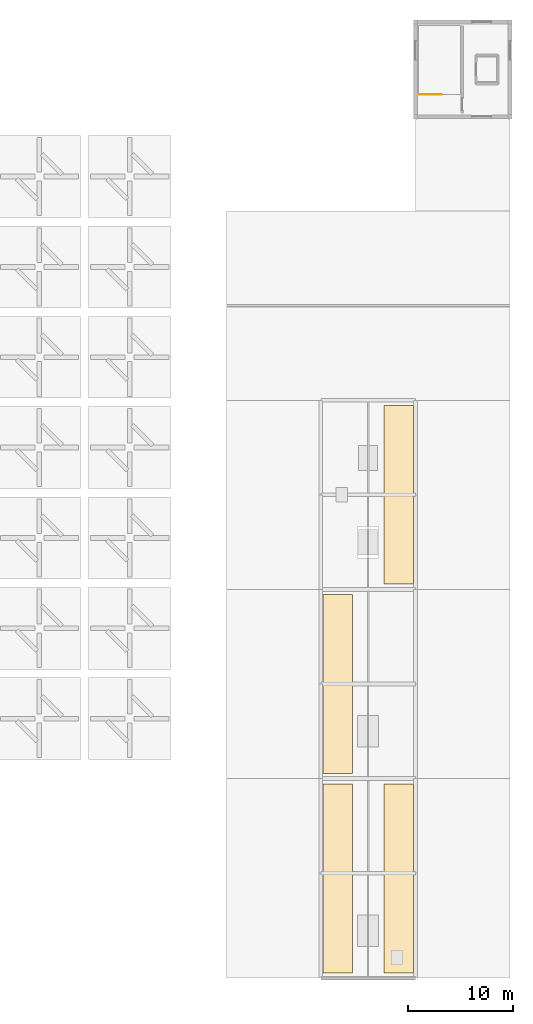
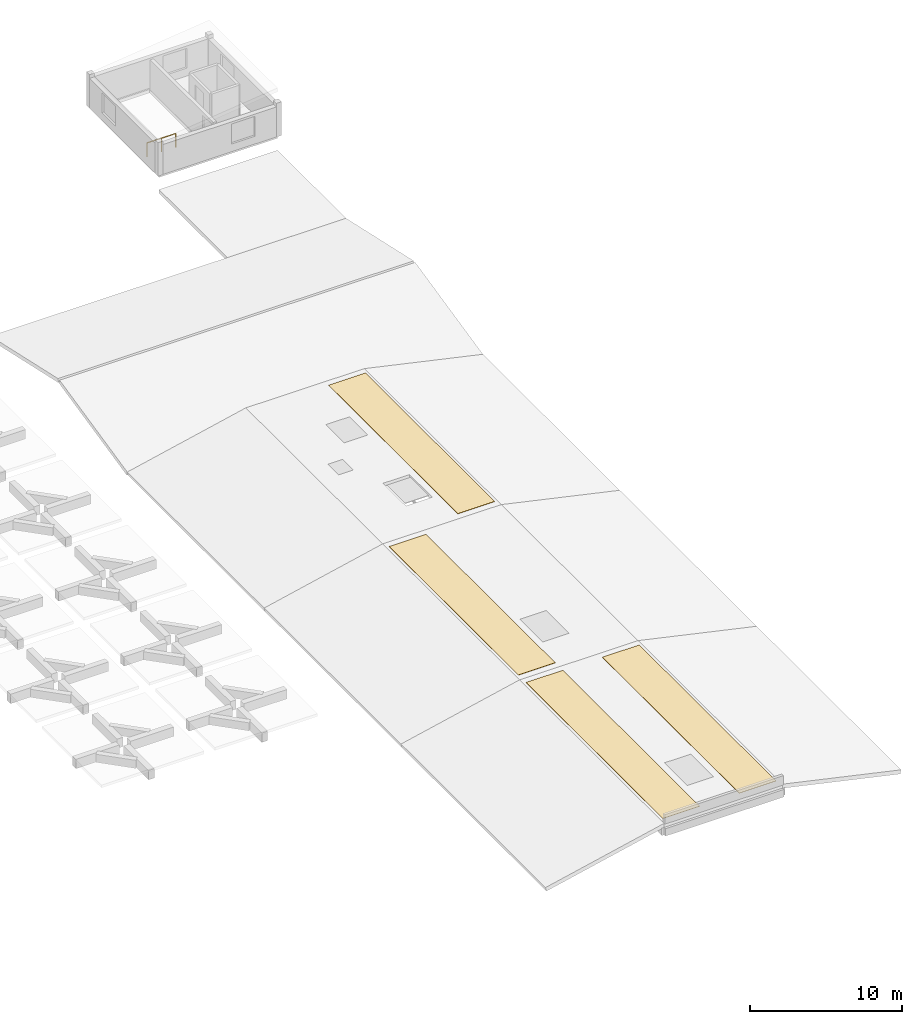
# One storey, part 7 of 7: 4 coverings, 1 railing.
"""IFC4 building model written with IfcOpenShell, lengths in metres."""

from ifc_helpers import new_model, si_unit, direction, frame, origin, origin_2d, place, context, subcontext, project, spatial, polyline, circle, outline, extrude, material, layer, layer_set, type_object, element, save


model = new_model("IFC4")

# Units and contexts
model_context = context("Model", 3, precision=1e-05, world=origin(), true_north=direction((0.0, 1.0)))
body_context = subcontext(model_context, "Body", "Model", "MODEL_VIEW")
ifc_project = project(units=[si_unit("LENGTHUNIT", "METRE"), si_unit("AREAUNIT", "SQUARE_METRE"), si_unit("VOLUMEUNIT", "CUBIC_METRE"), si_unit("PLANEANGLEUNIT", "RADIAN"), si_unit("MASSUNIT", "GRAM", prefix="KILO")], contexts=[model_context])

# Site, building, storey
site_placement = place(None, origin())
site = spatial("IfcSite", under=ifc_project, at=site_placement, CompositionType="ELEMENT")
building_placement = place(site_placement, origin())
building = spatial("IfcBuilding", under=site, at=building_placement, Name="Ornek Quay Market", CompositionType="ELEMENT")
storey_placement = place(building_placement, frame((0.0, 0.0, 16.64990234375)))
storey = spatial("IfcBuildingStorey", under=building, at=storey_placement, Name="ROOF", CompositionType="ELEMENT", Elevation=16.64990234375)

# Coverings
ifc_material_1 = material(Name="Standing-seam pre-weathered zinc roofing", Category="other")
ifc_layer = layer(ifc_material_1, 0.02490234375, Name="Standing-seam pre-weathered zinc roofing", Category="other")
ifc_layer_set = layer_set([ifc_layer], Name="Standing-seam pre-weathered zinc roofing")
covering_type = type_object("IfcCoveringType", Name="COV-ROOF-ZINC-25", PredefinedType="ROOFING", material=ifc_layer_set)
covering_1_placement = place(storey_placement, frame((0.0, 0.0, 0.75)))
element("IfcCovering", 1, at=covering_1_placement, inside=storey, type_object=covering_type, Name="Standing-seam zinc roofing RFG-24", PredefinedType="ROOFING", context=body_context, shape_type="SweptSolid", body=[
    extrude(outline(polyline([(162.199951171875, 10.5), (165.0, 10.5), (165.0, 28.5), (162.199951171875, 28.5), (162.199951171875, 10.5)])), origin(), (0.0, 0.0, 1.0), 0.025146484375),
])
covering_2_placement = place(storey_placement, frame((0.0, 0.0, 0.75)))
element("IfcCovering", 2, at=covering_2_placement, inside=storey, type_object=covering_type, Name="Standing-seam zinc roofing RFG-25", PredefinedType="ROOFING", context=body_context, shape_type="SweptSolid", body=[
    extrude(outline(polyline([(168.0, 10.5), (170.800048828125, 10.5), (170.800048828125, 28.5), (168.0, 28.5), (168.0, 10.5)])), origin(), (0.0, 0.0, 1.0), 0.025146484375),
])
covering_3_placement = place(storey_placement, frame((0.0, 0.0, 0.75)))
element("IfcCovering", 3, at=covering_3_placement, inside=storey, type_object=covering_type, Name="Standing-seam zinc roofing RFG-26", PredefinedType="ROOFING", context=body_context, shape_type="SweptSolid", body=[
    extrude(outline(polyline([(162.199951171875, 29.5), (165.0, 29.5), (165.0, 46.5), (162.199951171875, 46.5), (162.199951171875, 29.5)])), origin(), (0.0, 0.0, 1.0), 0.025146484375),
])
covering_4_placement = place(storey_placement, frame((0.0, 0.0, 0.75)))
element("IfcCovering", 4, at=covering_4_placement, inside=storey, type_object=covering_type, Name="Standing-seam zinc roofing RFG-27", PredefinedType="ROOFING", context=body_context, shape_type="SweptSolid", body=[
    extrude(outline(polyline([(168.0, 47.5), (170.800048828125, 47.5), (170.800048828125, 64.5), (168.0, 64.5), (168.0, 47.5)])), origin(), (0.0, 0.0, 1.0), 0.025146484375),
])

# Railing
ifc_material_2 = material(Name="Brushed stainless steel 316", Category="steel")
railing_type = type_object("IfcRailingType", Name="RL-GUARD-STAIR-1100", PredefinedType="GUARDRAIL", material=ifc_material_2)
railing_placement = place(storey_placement, frame((171.320068359375, 94.1201171875, 0.0)))
element("IfcRailing", 5, at=railing_placement, inside=storey, type_object=railing_type, Name="Railing GR-03-052", PredefinedType="GUARDRAIL", context=body_context, shape_type="SweptSolid", body=[
    extrude(circle(Radius=0.02392578125, at=origin_2d()), frame((0.0, 0.0, 1.09619140625), z_axis=(1.0, 0.0, 0.0), x_axis=(0.0, 1.0, 0.0)), (0.0, 0.0, 1.0), 2.179931640625),
    extrude(circle(Radius=0.02099609375, at=origin_2d()), origin(), (0.0, 0.0, 1.0), 1.068115234375),
    extrude(circle(Radius=0.02099609375, at=origin_2d()), frame((1.08984375, 0.0, 0.0)), (0.0, 0.0, 1.0), 1.068115234375),
    extrude(circle(Radius=0.02099609375, at=origin_2d()), frame((2.179931640625, 0.0, 0.0)), (0.0, 0.0, 1.0), 1.068115234375),
])

save(model, "model.ifc")
